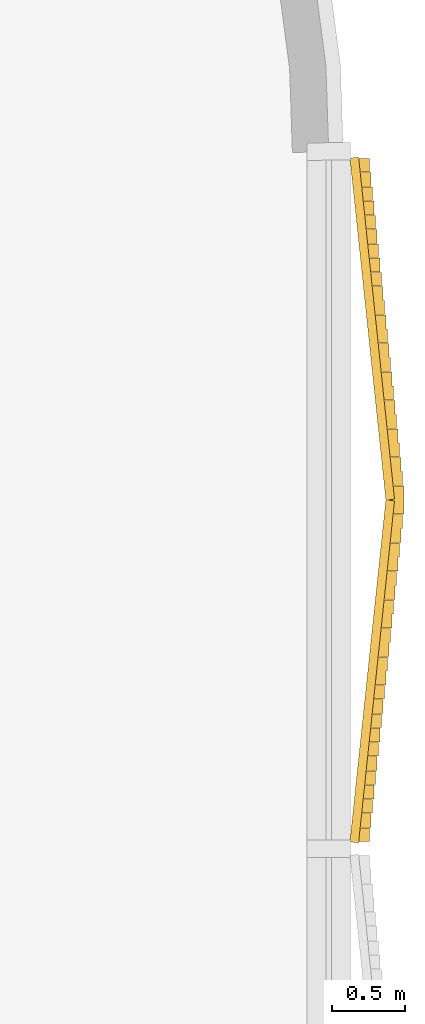
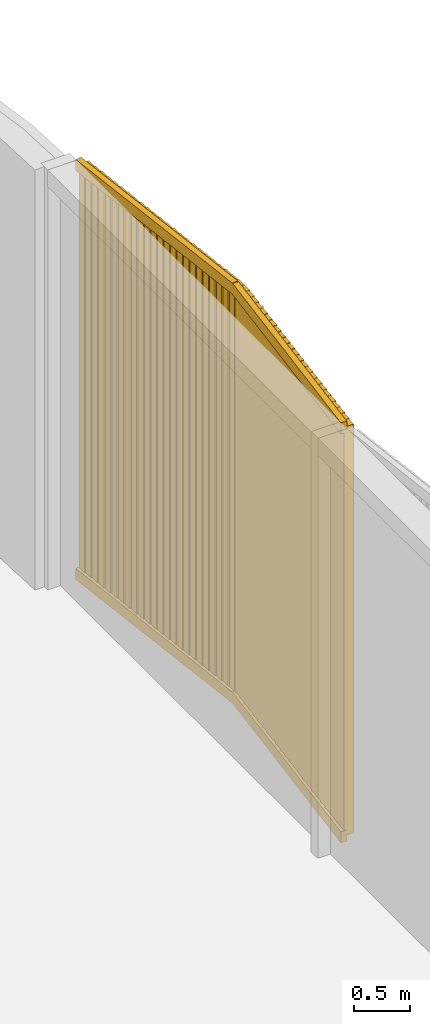
# One storey, part 24 of 24: 1 covering.
"""IFC4 building model written with IfcOpenShell, lengths in metres."""

import ifcopenshell
import ifcopenshell.guid

model = None  # the IFC model being written
_history = None  # IfcOwnerHistory: only IFC2X3 demands one
_inside = {}  # id of a spatial element -> (the spatial element, [elements in it])
_under = {}  # id of a project, library or spatial element -> (it, [spatial elements below it])
_declared = {}  # id of a project -> (the project, [libraries it declares])
_typed = {}  # id of a type object -> (the type object, [elements of that type])
_made_of = {}  # id of a material, layer set ... -> (it, [elements and type objects made of it])


def new_model(schema):
    """Start an empty IFC model of exactly this schema.

    Asked for "IFC4X3", IfcOpenShell would pick the latest addendum, in which some entities
    have other attributes; the version numbers below select the first issue.
    IFC2X3 requires an IfcOwnerHistory on every rooted entity: one is made here for all.
    """
    global model, _history
    if schema == "IFC4X3":
        model = ifcopenshell.file(schema_version=(4, 3, 0, 0))
    else:
        model = ifcopenshell.file(schema=schema)
    _inside.clear()
    _under.clear()
    _declared.clear()
    _typed.clear()
    _made_of.clear()
    _history = None
    if model.schema == "IFC2X3":
        org = make("IfcOrganization", Name="unknown")
        user = make(
            "IfcPersonAndOrganization",
            ThePerson=make("IfcPerson", FamilyName="unknown"),
            TheOrganization=org,
        )
        app = make(
            "IfcApplication",
            ApplicationDeveloper=org,
            Version="unknown",
            ApplicationFullName="unknown",
            ApplicationIdentifier="unknown",
        )
        _history = make(
            "IfcOwnerHistory",
            OwningUser=user,
            OwningApplication=app,
            ChangeAction="ADDED",
            CreationDate=0,
        )
    return model


def make(cls, **values):
    """One entity of the class cls with the attributes given. An attribute that is None is left unset."""
    return model.create_entity(
        cls, **{name: value for name, value in values.items() if value is not None}
    )


def rooted(cls, **values):
    """An entity with a GlobalId (a new one), such as an element, a storey or a relation."""
    return make(cls, GlobalId=ifcopenshell.guid.new(), OwnerHistory=_history, **values)


def si_unit(unit_type, name, prefix=None):
    """IfcSIUnit, for example si_unit("LENGTHUNIT", "METRE", prefix="MILLI")."""
    return make("IfcSIUnit", UnitType=unit_type, Prefix=prefix, Name=name)


def assignment(units):
    """IfcUnitAssignment: the units of a project."""
    return None if units is None else make("IfcUnitAssignment", Units=units)


def point(xyz):
    """IfcCartesianPoint."""
    return None if xyz is None else make("IfcCartesianPoint", Coordinates=xyz)


def direction(xyz):
    """IfcDirection."""
    return None if xyz is None else make("IfcDirection", DirectionRatios=xyz)


def frame(location, z_axis=None, x_axis=None):
    """IfcAxis2Placement3D, a coordinate frame: its origin and axes. An axis left out is left unset."""
    return make(
        "IfcAxis2Placement3D",
        Location=point(location),
        Axis=direction(z_axis),
        RefDirection=direction(x_axis),
    )


def frame_2d(location, x_axis=None):
    """IfcAxis2Placement2D, a coordinate frame in the plane: its origin and x axis."""
    return make(
        "IfcAxis2Placement2D", Location=point(location), RefDirection=direction(x_axis)
    )


def origin():
    """The frame at (0, 0, 0) with its axes left unset."""
    return frame((0.0, 0.0, 0.0))


def place(relative_to, where):
    """IfcLocalPlacement: puts the frame where relative to a parent placement (None: the world)."""
    return make(
        "IfcLocalPlacement", PlacementRelTo=relative_to, RelativePlacement=where
    )


def context(
    kind, dimensions, precision=None, world=None, true_north=None, identifier=None
):
    """IfcGeometricRepresentationContext, for example the 3D "Model" context."""
    return make(
        "IfcGeometricRepresentationContext",
        ContextIdentifier=identifier,
        ContextType=kind,
        CoordinateSpaceDimension=dimensions,
        Precision=precision,
        WorldCoordinateSystem=world,
        TrueNorth=true_north,
    )


def subcontext(parent, identifier, kind, view, scale=None):
    """IfcGeometricRepresentationSubContext, for example "Body" below "Model"."""
    return make(
        "IfcGeometricRepresentationSubContext",
        ContextIdentifier=identifier,
        ContextType=kind,
        ParentContext=parent,
        TargetScale=scale,
        TargetView=view,
    )


def project(units=None, contexts=None):
    """IfcProject with its units and contexts."""
    return rooted(
        "IfcProject",
        Name="project",
        RepresentationContexts=contexts,
        UnitsInContext=assignment(units),
    )


def spatial(cls, under=None, at=None, **own):
    """A site, building, storey or space (cls), placed at a placement, below another one or the project."""
    s = rooted(cls, ObjectPlacement=at, **own)
    if under is not None:
        _under.setdefault(under.id(), (under, []))[1].append(s)
    return s


def profile(cls, at=None, kind="AREA", **sizes):
    """A parametric profile (cls). Its sizes go by their IFC names, for example OverallWidth=200.0."""
    return make(cls, ProfileType=kind, Position=at, **sizes)


def rectangle(**sizes):
    """IfcRectangleProfileDef."""
    return profile("IfcRectangleProfileDef", **sizes)


def extrude(swept, where, along, depth):
    """IfcExtrudedAreaSolid: the profile swept, set in the frame where, extruded along a direction by depth."""
    return make(
        "IfcExtrudedAreaSolid",
        SweptArea=swept,
        Position=where,
        ExtrudedDirection=direction(along),
        Depth=depth,
    )


def shape(context_of_items, identifier, shape_type, items):
    """IfcShapeRepresentation: the items that make up one representation, for example the "Body"."""
    return make(
        "IfcShapeRepresentation",
        ContextOfItems=context_of_items,
        RepresentationIdentifier=identifier,
        RepresentationType=shape_type,
        Items=items,
    )


def source(mapping_origin, context_of_items, identifier, shape_type, items):
    """IfcRepresentationMap: a shape defined once, which mapped items show again and again."""
    return make(
        "IfcRepresentationMap",
        MappingOrigin=mapping_origin,
        MappedRepresentation=shape(context_of_items, identifier, shape_type, items),
    )


def transform(
    local_origin,
    x_axis=None,
    y_axis=None,
    z_axis=None,
    scale=None,
    scale2=None,
    scale3=None,
    uniform=True,
):
    """IfcCartesianTransformationOperator3D, or its non-uniform kind. x_axis, y_axis, z_axis: its Axis1, 2, 3."""
    if uniform:
        return make(
            "IfcCartesianTransformationOperator3D",
            Axis1=direction(x_axis),
            Axis2=direction(y_axis),
            LocalOrigin=point(local_origin),
            Scale=scale,
            Axis3=direction(z_axis),
        )
    return make(
        "IfcCartesianTransformationOperator3DnonUniform",
        Axis1=direction(x_axis),
        Axis2=direction(y_axis),
        LocalOrigin=point(local_origin),
        Scale=scale,
        Axis3=direction(z_axis),
        Scale2=scale2,
        Scale3=scale3,
    )


def mapped(mapping_source, mapping_target):
    """IfcMappedItem: shows the shape of a source again, moved by a transform."""
    return make(
        "IfcMappedItem", MappingSource=mapping_source, MappingTarget=mapping_target
    )


def material(Name=None, Category=None):
    """IfcMaterial."""
    return make("IfcMaterial", Name=Name, Category=Category)


def made_of(thing, what):
    """Note that an element or type object is made of a material, layer set ...; save() writes the relation."""
    if what is not None:
        _made_of.setdefault(what.id(), (what, []))[1].append(thing)
    return thing


def type_object(cls, material=None, **own):
    """A type object (cls), such as IfcWallType, which elements share."""
    return made_of(rooted(cls, **own), material)


def element(
    cls,
    number,
    at=None,
    inside=None,
    cuts=None,
    type_object=None,
    material=None,
    context=None,
    identifier="Body",
    shape_type=None,
    held_by="IfcProductDefinitionShape",
    body=None,
    shapes=None,
    **own,
):
    """One element of the class cls, such as IfcWall. Its Tag is "e" and its number.

    at: its placement. inside: the storey or other place that contains it. cuts: it is an
    opening in that element (IfcRelVoidsElement). A single representation is given by context,
    identifier, shape_type and body (its items); several are given by shapes. held_by: the class
    of the entity that holds the representations. save() writes the other relations.
    """
    e = rooted(cls, Tag="e%d" % number, ObjectPlacement=at, **own)
    if body is not None:
        shapes = [shape(context, identifier, shape_type, body)]
    if shapes is not None:
        e.Representation = make(held_by, Representations=shapes)
    if inside is not None:
        _inside.setdefault(inside.id(), (inside, []))[1].append(e)
    if cuts is not None:
        rooted(
            "IfcRelVoidsElement", RelatingBuildingElement=cuts, RelatedOpeningElement=e
        )
    if type_object is not None:
        _typed.setdefault(type_object.id(), (type_object, []))[1].append(e)
    return made_of(e, material)


def aggregate(whole, parts):
    """IfcRelAggregates: a whole, such as a stair, and the parts it consists of."""
    return rooted("IfcRelAggregates", RelatingObject=whole, RelatedObjects=parts)


def save(model, path):
    """Write the relations noted so far, then the file.

    IfcRelAggregates (storeys below a building ...), IfcRelContainedInSpatialStructure (elements
    in a storey), IfcRelDefinesByType, IfcRelAssociatesMaterial and IfcRelDeclares: one each for
    every whole, place, type object, material and project.
    """
    for whole, parts in _under.values():
        aggregate(whole, parts)
    for where, things in _inside.values():
        rooted(
            "IfcRelContainedInSpatialStructure",
            RelatedElements=things,
            RelatingStructure=where,
        )
    for kind, things in _typed.values():
        rooted("IfcRelDefinesByType", RelatedObjects=things, RelatingType=kind)
    for what, things in _made_of.values():
        rooted("IfcRelAssociatesMaterial", RelatedObjects=things, RelatingMaterial=what)
    for by, libraries in _declared.values():
        rooted("IfcRelDeclares", RelatingContext=by, RelatedDefinitions=libraries)
    model.write(path)


model = new_model("IFC4")

# Units and contexts
model_context = context("Model", 3, precision=1e-05, world=origin(), true_north=direction((0.0, 1.0)))
body_context = subcontext(model_context, "Body", "Model", "MODEL_VIEW")
ifc_project = project(units=[si_unit("LENGTHUNIT", "METRE"), si_unit("AREAUNIT", "SQUARE_METRE"), si_unit("VOLUMEUNIT", "CUBIC_METRE"), si_unit("PLANEANGLEUNIT", "RADIAN"), si_unit("MASSUNIT", "GRAM", prefix="KILO")], contexts=[model_context])

# Site, building, storey
site_placement = place(None, origin())
site = spatial("IfcSite", under=ifc_project, at=site_placement, CompositionType="ELEMENT")
building_placement = place(site_placement, origin())
building = spatial("IfcBuilding", under=site, at=building_placement, Name="Tamra Quay Hotel Tower", CompositionType="ELEMENT")
storey_placement = place(building_placement, frame((0.0, 0.0, 19.5)))
storey = spatial("IfcBuildingStorey", under=building, at=storey_placement, Name="L03", CompositionType="ELEMENT", Elevation=19.5)

# Covering
ifc_material = material(Name="Terracotta baguette extruded", Category="masonry")
covering_type = type_object("IfcCoveringType", Name="BAGUETTE SCREEN PODIUM-SHALLOW H4550", PredefinedType="USERDEFINED", material=ifc_material)
shared_shape = source(origin(), body_context, "Body", "SweptSolid", [
    extrude(rectangle(XDim=2.365478515625, YDim=0.06005859375, at=frame_2d((1.1826171875, 0.030029296875))), frame((-2.35888671875, -0.0576171875, -0.1201171875), z_axis=(0.0, 0.0, 1.0), x_axis=(0.994521895368, -0.104528463268, 0.0)), (0.0, 0.0, 1.0), 0.1201171875),
    extrude(rectangle(XDim=2.365478515625, YDim=0.06005859375, at=frame_2d((1.1826171875, 0.030029296875))), frame((-2.35888671875, -0.0576171875, -4.550048828125), z_axis=(0.0, 0.0, 1.0), x_axis=(0.994521895368, -0.104528463268, 0.0)), (0.0, 0.0, 1.0), 0.1201171875),
    extrude(rectangle(XDim=0.094970703125, YDim=0.10009765625, at=frame_2d((0.04736328125, 0.050048828125))), frame((-2.35107421875, -0.133056640625, -4.489990234375)), (0.0, 0.0, 1.0), 4.429931640625),
    extrude(rectangle(XDim=0.094970703125, YDim=0.10009765625, at=frame_2d((0.04736328125, 0.050048828125))), frame((-2.2529296875, -0.1435546875, -4.489990234375)), (0.0, 0.0, 1.0), 4.429931640625),
    extrude(rectangle(XDim=0.094970703125, YDim=0.10009765625, at=frame_2d((0.04736328125, 0.050048828125))), frame((-2.155029296875, -0.15380859375, -4.489990234375)), (0.0, 0.0, 1.0), 4.429931640625),
    extrude(rectangle(XDim=0.094970703125, YDim=0.10009765625, at=frame_2d((0.04736328125, 0.050048828125))), frame((-2.056884765625, -0.1640625, -4.489990234375)), (0.0, 0.0, 1.0), 4.429931640625),
    extrude(rectangle(XDim=0.094970703125, YDim=0.10009765625, at=frame_2d((0.04736328125, 0.050048828125))), frame((-1.958984375, -0.17431640625, -4.489990234375)), (0.0, 0.0, 1.0), 4.429931640625),
    extrude(rectangle(XDim=0.094970703125, YDim=0.10009765625, at=frame_2d((0.04736328125, 0.050048828125))), frame((-1.86083984375, -0.1845703125, -4.489990234375)), (0.0, 0.0, 1.0), 4.429931640625),
    extrude(rectangle(XDim=0.094970703125, YDim=0.10009765625, at=frame_2d((0.04736328125, 0.050048828125))), frame((-1.762939453125, -0.195068359375, -4.489990234375)), (0.0, 0.0, 1.0), 4.429931640625),
    extrude(rectangle(XDim=0.094970703125, YDim=0.10009765625, at=frame_2d((0.04736328125, 0.050048828125))), frame((-1.664794921875, -0.205322265625, -4.489990234375)), (0.0, 0.0, 1.0), 4.429931640625),
    extrude(rectangle(XDim=0.094970703125, YDim=0.10009765625, at=frame_2d((0.04736328125, 0.050048828125))), frame((-1.56689453125, -0.215576171875, -4.489990234375)), (0.0, 0.0, 1.0), 4.429931640625),
    extrude(rectangle(XDim=0.094970703125, YDim=0.10009765625, at=frame_2d((0.04736328125, 0.050048828125))), frame((-1.46875, -0.225830078125, -4.489990234375)), (0.0, 0.0, 1.0), 4.429931640625),
    extrude(rectangle(XDim=0.094970703125, YDim=0.10009765625, at=frame_2d((0.04736328125, 0.050048828125))), frame((-1.370849609375, -0.236083984375, -4.489990234375)), (0.0, 0.0, 1.0), 4.429931640625),
    extrude(rectangle(XDim=0.094970703125, YDim=0.10009765625, at=frame_2d((0.04736328125, 0.050048828125))), frame((-1.272705078125, -0.24658203125, -4.489990234375)), (0.0, 0.0, 1.0), 4.429931640625),
    extrude(rectangle(XDim=0.094970703125, YDim=0.10009765625, at=frame_2d((0.04736328125, 0.050048828125))), frame((-1.1748046875, -0.2568359375, -4.489990234375)), (0.0, 0.0, 1.0), 4.429931640625),
    extrude(rectangle(XDim=0.094970703125, YDim=0.10009765625, at=frame_2d((0.04736328125, 0.050048828125))), frame((-1.07666015625, -0.26708984375, -4.489990234375)), (0.0, 0.0, 1.0), 4.429931640625),
    extrude(rectangle(XDim=0.094970703125, YDim=0.10009765625, at=frame_2d((0.04736328125, 0.050048828125))), frame((-0.978759765625, -0.27734375, -4.489990234375)), (0.0, 0.0, 1.0), 4.429931640625),
    extrude(rectangle(XDim=0.094970703125, YDim=0.10009765625, at=frame_2d((0.04736328125, 0.050048828125))), frame((-0.880615234375, -0.28759765625, -4.489990234375)), (0.0, 0.0, 1.0), 4.429931640625),
    extrude(rectangle(XDim=0.094970703125, YDim=0.10009765625, at=frame_2d((0.04736328125, 0.050048828125))), frame((-0.78271484375, -0.298095703125, -4.489990234375)), (0.0, 0.0, 1.0), 4.429931640625),
    extrude(rectangle(XDim=0.094970703125, YDim=0.10009765625, at=frame_2d((0.04736328125, 0.050048828125))), frame((-0.6845703125, -0.308349609375, -4.489990234375)), (0.0, 0.0, 1.0), 4.429931640625),
    extrude(rectangle(XDim=0.094970703125, YDim=0.10009765625, at=frame_2d((0.04736328125, 0.050048828125))), frame((-0.586669921875, -0.318603515625, -4.489990234375)), (0.0, 0.0, 1.0), 4.429931640625),
    extrude(rectangle(XDim=0.094970703125, YDim=0.10009765625, at=frame_2d((0.04736328125, 0.050048828125))), frame((-0.488525390625, -0.328857421875, -4.489990234375)), (0.0, 0.0, 1.0), 4.429931640625),
    extrude(rectangle(XDim=0.094970703125, YDim=0.10009765625, at=frame_2d((0.04736328125, 0.050048828125))), frame((-0.390625, -0.339111328125, -4.489990234375)), (0.0, 0.0, 1.0), 4.429931640625),
    extrude(rectangle(XDim=0.094970703125, YDim=0.10009765625, at=frame_2d((0.04736328125, 0.050048828125))), frame((-0.29248046875, -0.349609375, -4.489990234375)), (0.0, 0.0, 1.0), 4.429931640625),
    extrude(rectangle(XDim=0.094970703125, YDim=0.10009765625, at=frame_2d((0.04736328125, 0.050048828125))), frame((-0.194580078125, -0.35986328125, -4.489990234375)), (0.0, 0.0, 1.0), 4.429931640625),
    extrude(rectangle(XDim=0.094970703125, YDim=0.10009765625, at=frame_2d((0.04736328125, 0.050048828125))), frame((-0.096435546875, -0.3701171875, -4.489990234375)), (0.0, 0.0, 1.0), 4.429931640625),
    extrude(rectangle(XDim=2.365478515625, YDim=0.06005859375, at=frame_2d((1.1826171875, 0.030029296875))), frame((0.00634765625, -0.304931640625, -0.1201171875), z_axis=(0.0, 0.0, 1.0), x_axis=(0.994521895368, 0.104528463268, 0.0)), (0.0, 0.0, 1.0), 0.1201171875),
    extrude(rectangle(XDim=2.365478515625, YDim=0.06005859375, at=frame_2d((1.1826171875, 0.030029296875))), frame((0.00634765625, -0.304931640625, -4.550048828125), z_axis=(0.0, 0.0, 1.0), x_axis=(0.994521895368, 0.104528463268, 0.0)), (0.0, 0.0, 1.0), 0.1201171875),
    extrude(rectangle(XDim=0.094970703125, YDim=0.10009765625, at=frame_2d((0.04736328125, 0.050048828125))), frame((0.00146484375, -0.3701171875, -4.489990234375)), (0.0, 0.0, 1.0), 4.429931640625),
    extrude(rectangle(XDim=0.094970703125, YDim=0.10009765625, at=frame_2d((0.04736328125, 0.050048828125))), frame((0.099609375, -0.35986328125, -4.489990234375)), (0.0, 0.0, 1.0), 4.429931640625),
    extrude(rectangle(XDim=0.094970703125, YDim=0.10009765625, at=frame_2d((0.04736328125, 0.050048828125))), frame((0.197509765625, -0.349609375, -4.489990234375)), (0.0, 0.0, 1.0), 4.429931640625),
    extrude(rectangle(XDim=0.094970703125, YDim=0.10009765625, at=frame_2d((0.04736328125, 0.050048828125))), frame((0.295654296875, -0.339111328125, -4.489990234375)), (0.0, 0.0, 1.0), 4.429931640625),
    extrude(rectangle(XDim=0.094970703125, YDim=0.10009765625, at=frame_2d((0.04736328125, 0.050048828125))), frame((0.3935546875, -0.328857421875, -4.489990234375)), (0.0, 0.0, 1.0), 4.429931640625),
    extrude(rectangle(XDim=0.094970703125, YDim=0.10009765625, at=frame_2d((0.04736328125, 0.050048828125))), frame((0.49169921875, -0.318603515625, -4.489990234375)), (0.0, 0.0, 1.0), 4.429931640625),
    extrude(rectangle(XDim=0.094970703125, YDim=0.10009765625, at=frame_2d((0.04736328125, 0.050048828125))), frame((0.589599609375, -0.308349609375, -4.489990234375)), (0.0, 0.0, 1.0), 4.429931640625),
    extrude(rectangle(XDim=0.094970703125, YDim=0.10009765625, at=frame_2d((0.04736328125, 0.050048828125))), frame((0.687744140625, -0.298095703125, -4.489990234375)), (0.0, 0.0, 1.0), 4.429931640625),
    extrude(rectangle(XDim=0.094970703125, YDim=0.10009765625, at=frame_2d((0.04736328125, 0.050048828125))), frame((0.78564453125, -0.28759765625, -4.489990234375)), (0.0, 0.0, 1.0), 4.429931640625),
    extrude(rectangle(XDim=0.094970703125, YDim=0.10009765625, at=frame_2d((0.04736328125, 0.050048828125))), frame((0.8837890625, -0.27734375, -4.489990234375)), (0.0, 0.0, 1.0), 4.429931640625),
    extrude(rectangle(XDim=0.094970703125, YDim=0.10009765625, at=frame_2d((0.04736328125, 0.050048828125))), frame((0.981689453125, -0.26708984375, -4.489990234375)), (0.0, 0.0, 1.0), 4.429931640625),
    extrude(rectangle(XDim=0.094970703125, YDim=0.10009765625, at=frame_2d((0.04736328125, 0.050048828125))), frame((1.079833984375, -0.2568359375, -4.489990234375)), (0.0, 0.0, 1.0), 4.429931640625),
    extrude(rectangle(XDim=0.094970703125, YDim=0.10009765625, at=frame_2d((0.04736328125, 0.050048828125))), frame((1.177734375, -0.24658203125, -4.489990234375)), (0.0, 0.0, 1.0), 4.429931640625),
    extrude(rectangle(XDim=0.094970703125, YDim=0.10009765625, at=frame_2d((0.04736328125, 0.050048828125))), frame((1.27587890625, -0.236083984375, -4.489990234375)), (0.0, 0.0, 1.0), 4.429931640625),
    extrude(rectangle(XDim=0.094970703125, YDim=0.10009765625, at=frame_2d((0.04736328125, 0.050048828125))), frame((1.373779296875, -0.225830078125, -4.489990234375)), (0.0, 0.0, 1.0), 4.429931640625),
    extrude(rectangle(XDim=0.094970703125, YDim=0.10009765625, at=frame_2d((0.04736328125, 0.050048828125))), frame((1.471923828125, -0.215576171875, -4.489990234375)), (0.0, 0.0, 1.0), 4.429931640625),
    extrude(rectangle(XDim=0.094970703125, YDim=0.10009765625, at=frame_2d((0.04736328125, 0.050048828125))), frame((1.56982421875, -0.205322265625, -4.489990234375)), (0.0, 0.0, 1.0), 4.429931640625),
    extrude(rectangle(XDim=0.094970703125, YDim=0.10009765625, at=frame_2d((0.04736328125, 0.050048828125))), frame((1.66796875, -0.195068359375, -4.489990234375)), (0.0, 0.0, 1.0), 4.429931640625),
    extrude(rectangle(XDim=0.094970703125, YDim=0.10009765625, at=frame_2d((0.04736328125, 0.050048828125))), frame((1.765869140625, -0.1845703125, -4.489990234375)), (0.0, 0.0, 1.0), 4.429931640625),
    extrude(rectangle(XDim=0.094970703125, YDim=0.10009765625, at=frame_2d((0.04736328125, 0.050048828125))), frame((1.864013671875, -0.17431640625, -4.489990234375)), (0.0, 0.0, 1.0), 4.429931640625),
    extrude(rectangle(XDim=0.094970703125, YDim=0.10009765625, at=frame_2d((0.04736328125, 0.050048828125))), frame((1.9619140625, -0.1640625, -4.489990234375)), (0.0, 0.0, 1.0), 4.429931640625),
    extrude(rectangle(XDim=0.094970703125, YDim=0.10009765625, at=frame_2d((0.04736328125, 0.050048828125))), frame((2.06005859375, -0.15380859375, -4.489990234375)), (0.0, 0.0, 1.0), 4.429931640625),
    extrude(rectangle(XDim=0.094970703125, YDim=0.10009765625, at=frame_2d((0.04736328125, 0.050048828125))), frame((2.157958984375, -0.1435546875, -4.489990234375)), (0.0, 0.0, 1.0), 4.429931640625),
    extrude(rectangle(XDim=0.094970703125, YDim=0.10009765625, at=frame_2d((0.04736328125, 0.050048828125))), frame((2.256103515625, -0.133056640625, -4.489990234375)), (0.0, 0.0, 1.0), 4.429931640625),
])
covering_placement = place(storey_placement, frame((27.14794921875, 28.77880859375, 4.550048828125), z_axis=(0.0, 0.0, 1.0), x_axis=(0.0, 1.0, 0.0)))
element("IfcCovering", 1, at=covering_placement, inside=storey, type_object=covering_type, Name="Baguette screen L03.E.f16", ObjectType="BAGUETTE SCREEN", PredefinedType="USERDEFINED", context=body_context, shape_type="MappedRepresentation", body=[
    mapped(shared_shape, transform((0.0, 0.0, 0.0), scale=1.0)),
])

save(model, "model.ifc")
